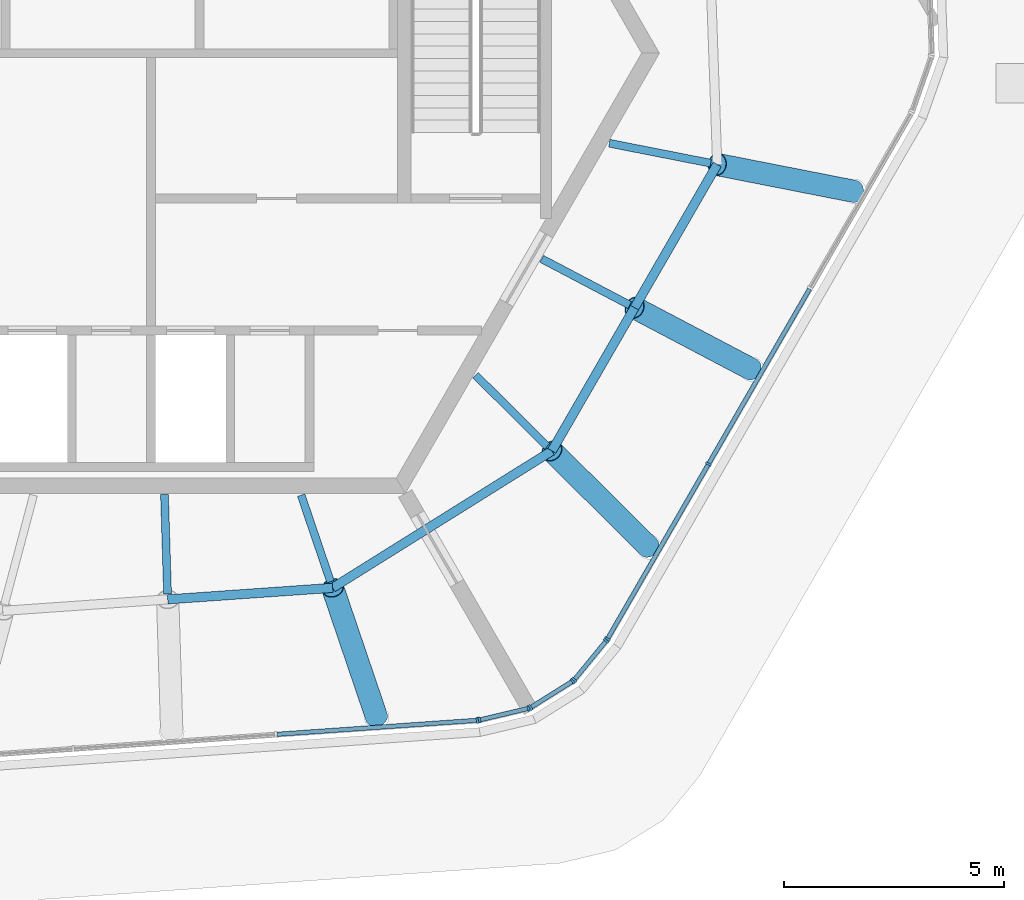
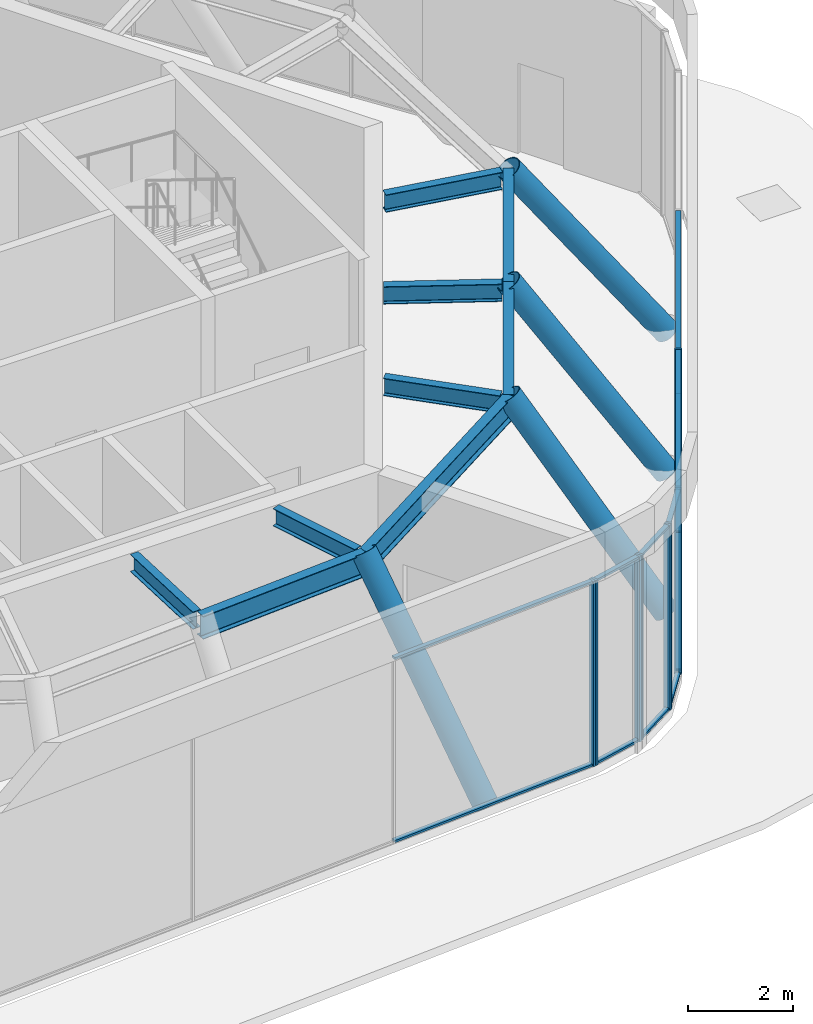
# One storey, part 2 of 9: 25 members, 9 beams, 5 elements without a shape of their own.
"""IFC4 building model written with IfcOpenShell, lengths in metres."""

from ifc_helpers import new_model, si_unit, direction, frame, origin, origin_2d, place, context, subcontext, project, spatial, rectangle, hollow_circle, i_section, extrude, material, material_profile, profile_set, type_object, element, aggregate, save


model = new_model("IFC4")

# Units and contexts
model_context = context("Model", 3, precision=1e-05, world=origin(), true_north=direction((0.0, 1.0)))
body_context = subcontext(model_context, "Body", "Model", "MODEL_VIEW")
ifc_project = project(units=[si_unit("LENGTHUNIT", "METRE"), si_unit("AREAUNIT", "SQUARE_METRE"), si_unit("VOLUMEUNIT", "CUBIC_METRE"), si_unit("PLANEANGLEUNIT", "RADIAN"), si_unit("MASSUNIT", "GRAM", prefix="KILO")], contexts=[model_context])

# Site, building, storey
site_placement = place(None, origin())
site = spatial("IfcSite", under=ifc_project, at=site_placement, CompositionType="ELEMENT")
building_placement = place(site_placement, origin())
building = spatial("IfcBuilding", under=site, at=building_placement, Name="Tarnside Tower", CompositionType="ELEMENT")
storey_placement = place(building_placement, frame((0.0, 0.0, 397.199951171875)))
storey = spatial("IfcBuildingStorey", under=building, at=storey_placement, Name="L94", CompositionType="ELEMENT", Elevation=397.199951171875)

# Curtain wall, members
ifc_material_1 = material(Name="Crown glazing wall", Category="glass")
curtain_wall_type = type_object("IfcCurtainWallType", Name="Crown glazing wall", PredefinedType="NOTDEFINED", material=ifc_material_1)
curtain_wall_1_placement = place(storey_placement, origin())
curtain_wall_1 = element("IfcCurtainWall", 1, at=curtain_wall_1_placement, inside=storey, type_object=curtain_wall_type, Name="Crown glazing L94 08", PredefinedType="NOTDEFINED")
ifc_material_2 = material(Name="Aluminium alloy 6063", Category="aluminium")
ifc_material_profile_1 = material_profile(ifc_material_2, rectangle(XDim=0.139892578125, YDim=0.050048828125, at=origin_2d()), Name="Crown glazing mullion 50 x 140")
ifc_profile_set_1 = profile_set([ifc_material_profile_1], Name="Aluminium alloy 6063")
member_type_1 = type_object("IfcMemberType", Name="Crown glazing mullion 50 x 140", PredefinedType="MULLION", material=ifc_profile_set_1)
member_1_placement = place(storey_placement, frame((12.661376953125, -9.329833984375, 0.0), z_axis=(0.0, 0.0, 1.0), x_axis=(0.866025403776, -0.500000000015, 0.0)))
member_1 = element("IfcMember", 2, at=member_1_placement, type_object=member_type_1, Name="CW6 mullion 3", PredefinedType="MULLION", context=body_context, shape_type="SweptSolid", body=[
    extrude(rectangle(XDim=0.139892578125, YDim=0.050048828125, at=origin_2d()), origin(), (0.0, 0.0, 1.0), 4.300048828125),
])
member_2_placement = place(storey_placement, frame((10.3671875, -13.303466796875, 0.0), z_axis=(0.0, 0.0, 1.0), x_axis=(0.866025403776, -0.500000000015, 0.0)))
member_2 = element("IfcMember", 3, at=member_2_placement, type_object=member_type_1, Name="CW6 mullion 4", PredefinedType="MULLION", context=body_context, shape_type="SweptSolid", body=[
    extrude(rectangle(XDim=0.139892578125, YDim=0.050048828125, at=origin_2d()), origin(), (0.0, 0.0, 1.0), 4.300048828125),
])

curtain_wall_2_placement = place(storey_placement, origin())
curtain_wall_2 = element("IfcCurtainWall", 4, at=curtain_wall_2_placement, inside=storey, type_object=curtain_wall_type, Name="Crown glazing L94 09", PredefinedType="NOTDEFINED")
member_3_placement = place(storey_placement, frame((10.3388671875, -13.344482421875, 0.0), z_axis=(0.0, 0.0, 1.0), x_axis=(0.773471592915, -0.633830967178, 0.0)))
member_3 = element("IfcMember", 5, at=member_3_placement, type_object=member_type_1, Name="CW6 mullion 1", PredefinedType="MULLION", context=body_context, shape_type="SweptSolid", body=[
    extrude(rectangle(XDim=0.139892578125, YDim=0.050048828125, at=origin_2d()), origin(), (0.0, 0.0, 1.0), 4.300048828125),
])
member_4_placement = place(storey_placement, frame((9.61328125, -14.229736328125, 0.0), z_axis=(0.0, 0.0, 1.0), x_axis=(0.773471592915, -0.633830967178, 0.0)))
member_4 = element("IfcMember", 6, at=member_4_placement, type_object=member_type_1, Name="CW6 mullion 2", PredefinedType="MULLION", context=body_context, shape_type="SweptSolid", body=[
    extrude(rectangle(XDim=0.139892578125, YDim=0.050048828125, at=origin_2d()), origin(), (0.0, 0.0, 1.0), 4.300048828125),
])

curtain_wall_3_placement = place(storey_placement, origin())
curtain_wall_3 = element("IfcCurtainWall", 7, at=curtain_wall_3_placement, inside=storey, type_object=curtain_wall_type, Name="Crown glazing L94 10", PredefinedType="NOTDEFINED")
member_5_placement = place(storey_placement, frame((9.576171875, -14.262451171875, 0.0), z_axis=(0.0, 0.0, 1.0), x_axis=(0.5299192641, -0.84804809624, 0.0)))
member_5 = element("IfcMember", 8, at=member_5_placement, type_object=member_type_1, Name="CW6 mullion 1", PredefinedType="MULLION", context=body_context, shape_type="SweptSolid", body=[
    extrude(rectangle(XDim=0.139892578125, YDim=0.050048828125, at=origin_2d()), origin(), (0.0, 0.0, 1.0), 4.300048828125),
])
member_6_placement = place(storey_placement, frame((8.62109375, -14.859375, 0.0), z_axis=(0.0, 0.0, 1.0), x_axis=(0.5299192641, -0.84804809624, 0.0)))
member_6 = element("IfcMember", 9, at=member_6_placement, type_object=member_type_1, Name="CW6 mullion 2", PredefinedType="MULLION", context=body_context, shape_type="SweptSolid", body=[
    extrude(rectangle(XDim=0.139892578125, YDim=0.050048828125, at=origin_2d()), origin(), (0.0, 0.0, 1.0), 4.300048828125),
])

curtain_wall_4_placement = place(storey_placement, origin())
curtain_wall_4 = element("IfcCurtainWall", 10, at=curtain_wall_4_placement, inside=storey, type_object=curtain_wall_type, Name="Crown glazing L94 11", PredefinedType="NOTDEFINED")
member_7_placement = place(storey_placement, frame((8.575439453125, -14.87841796875, 0.0), z_axis=(0.0, 0.0, 1.0), x_axis=(0.230615870414, -0.973044870658, 0.0)))
member_7 = element("IfcMember", 11, at=member_7_placement, type_object=member_type_1, Name="CW6 mullion 1", PredefinedType="MULLION", context=body_context, shape_type="SweptSolid", body=[
    extrude(rectangle(XDim=0.139892578125, YDim=0.050048828125, at=origin_2d()), origin(), (0.0, 0.0, 1.0), 4.300048828125),
])
member_8_placement = place(storey_placement, frame((7.461669921875, -15.142333984375, 0.0), z_axis=(0.0, 0.0, 1.0), x_axis=(0.230615870414, -0.973044870658, 0.0)))
member_8 = element("IfcMember", 12, at=member_8_placement, type_object=member_type_1, Name="CW6 mullion 2", PredefinedType="MULLION", context=body_context, shape_type="SweptSolid", body=[
    extrude(rectangle(XDim=0.139892578125, YDim=0.050048828125, at=origin_2d()), origin(), (0.0, 0.0, 1.0), 4.300048828125),
])

# Curtain wall, member
curtain_wall_5_placement = place(storey_placement, origin())
curtain_wall_5 = element("IfcCurtainWall", 13, at=curtain_wall_5_placement, inside=storey, type_object=curtain_wall_type, Name="Crown glazing L94 12", PredefinedType="NOTDEFINED")
member_9_placement = place(storey_placement, frame((7.412353515625, -15.14990234375, 0.0), z_axis=(0.0, 0.0, 1.0), x_axis=(0.069756473762, -0.997564050259, 0.0)))
member_9 = element("IfcMember", 14, at=member_9_placement, type_object=member_type_1, Name="CW6 mullion 1", PredefinedType="MULLION", context=body_context, shape_type="SweptSolid", body=[
    extrude(rectangle(XDim=0.139892578125, YDim=0.050048828125, at=origin_2d()), origin(), (0.0, 0.0, 1.0), 4.300048828125),
])

# Member
ifc_material_profile_2 = material_profile(ifc_material_2, rectangle(XDim=0.10009765625, YDim=0.050048828125, at=origin_2d()), Name="Crown glazing transom 50 x 100")
ifc_profile_set_2 = profile_set([ifc_material_profile_2], Name="Aluminium alloy 6063")
member_type_2 = type_object("IfcMemberType", Name="Crown glazing transom 50 x 100", PredefinedType="USERDEFINED", material=ifc_profile_set_2)
member_10_placement = place(storey_placement, frame((14.95556640625, -5.35595703125, 0.025146484375), z_axis=(-0.499994135611, -0.866028789565, 0.0), x_axis=(0.866028789565, -0.499994135611, 0.0)))
member_10 = element("IfcMember", 15, at=member_10_placement, type_object=member_type_2, Name="CW6 transom 2.1", ObjectType="TRANSOM", PredefinedType="USERDEFINED", context=body_context, shape_type="SweptSolid", body=[
    extrude(rectangle(XDim=0.10009765625, YDim=0.050048828125, at=origin_2d()), origin(), (0.0, 0.0, 1.0), 4.5634765625),
])

member_11_placement = place(storey_placement, frame((14.95556640625, -5.35595703125, 4.275146484375), z_axis=(-0.499994135611, -0.866028789565, 0.0), x_axis=(0.866028789565, -0.499994135611, 0.0)))
member_11 = element("IfcMember", 16, at=member_11_placement, type_object=member_type_2, Name="CW6 transom 2.2", ObjectType="TRANSOM", PredefinedType="USERDEFINED", context=body_context, shape_type="SweptSolid", body=[
    extrude(rectangle(XDim=0.10009765625, YDim=0.050048828125, at=origin_2d()), origin(), (0.0, 0.0, 1.0), 4.5634765625),
])

member_12_placement = place(storey_placement, frame((12.64892578125, -9.351318359375, 0.025146484375), z_axis=(-0.500009602748, -0.866019859564, 0.0), x_axis=(0.866019859564, -0.500009602748, 0.0)))
member_12 = element("IfcMember", 17, at=member_12_placement, type_object=member_type_2, Name="CW6 transom 3.1", ObjectType="TRANSOM", PredefinedType="USERDEFINED", context=body_context, shape_type="SweptSolid", body=[
    extrude(rectangle(XDim=0.10009765625, YDim=0.050048828125, at=origin_2d()), origin(), (0.0, 0.0, 1.0), 4.53857421875),
])

member_13_placement = place(storey_placement, frame((12.64892578125, -9.351318359375, 4.275146484375), z_axis=(-0.500009602748, -0.866019859564, 0.0), x_axis=(0.866019859564, -0.500009602748, 0.0)))
member_13 = element("IfcMember", 18, at=member_13_placement, type_object=member_type_2, Name="CW6 transom 3.2", ObjectType="TRANSOM", PredefinedType="USERDEFINED", context=body_context, shape_type="SweptSolid", body=[
    extrude(rectangle(XDim=0.10009765625, YDim=0.050048828125, at=origin_2d()), origin(), (0.0, 0.0, 1.0), 4.53857421875),
])

aggregate(curtain_wall_1, [member_1, member_2, member_10, member_11, member_12, member_13])

member_14_placement = place(storey_placement, frame((10.322998046875, -13.36376953125, 0.025146484375), z_axis=(-0.633844849102, -0.77346021699, 0.0), x_axis=(0.77346021699, -0.633844849102, 0.0)))
member_14 = element("IfcMember", 19, at=member_14_placement, type_object=member_type_2, Name="CW6 transom 1.1", ObjectType="TRANSOM", PredefinedType="USERDEFINED", context=body_context, shape_type="SweptSolid", body=[
    extrude(rectangle(XDim=0.10009765625, YDim=0.050048828125, at=origin_2d()), origin(), (0.0, 0.0, 1.0), 1.0947265625),
])

member_15_placement = place(storey_placement, frame((10.322998046875, -13.36376953125, 4.275146484375), z_axis=(-0.633844849102, -0.77346021699, 0.0), x_axis=(0.77346021699, -0.633844849102, 0.0)))
member_15 = element("IfcMember", 20, at=member_15_placement, type_object=member_type_2, Name="CW6 transom 1.2", ObjectType="TRANSOM", PredefinedType="USERDEFINED", context=body_context, shape_type="SweptSolid", body=[
    extrude(rectangle(XDim=0.10009765625, YDim=0.050048828125, at=origin_2d()), origin(), (0.0, 0.0, 1.0), 1.0947265625),
])

aggregate(curtain_wall_2, [member_3, member_4, member_14, member_15])

member_16_placement = place(storey_placement, frame((9.55517578125, -14.275634765625, 0.025146484375), z_axis=(-0.848049255398, -0.529917409055, 0.0), x_axis=(0.529917409055, -0.848049255398, 0.0)))
member_16 = element("IfcMember", 21, at=member_16_placement, type_object=member_type_2, Name="CW6 transom 1.1", ObjectType="TRANSOM", PredefinedType="USERDEFINED", context=body_context, shape_type="SweptSolid", body=[
    extrude(rectangle(XDim=0.10009765625, YDim=0.050048828125, at=origin_2d()), origin(), (0.0, 0.0, 1.0), 1.07666015625),
])

member_17_placement = place(storey_placement, frame((9.55517578125, -14.275634765625, 4.275146484375), z_axis=(-0.848049255398, -0.529917409055, 0.0), x_axis=(0.529917409055, -0.848049255398, 0.0)))
member_17 = element("IfcMember", 22, at=member_17_placement, type_object=member_type_2, Name="CW6 transom 1.2", ObjectType="TRANSOM", PredefinedType="USERDEFINED", context=body_context, shape_type="SweptSolid", body=[
    extrude(rectangle(XDim=0.10009765625, YDim=0.050048828125, at=origin_2d()), origin(), (0.0, 0.0, 1.0), 1.07666015625),
])

aggregate(curtain_wall_3, [member_5, member_6, member_16, member_17])

member_18_placement = place(storey_placement, frame((8.55126953125, -14.884033203125, 0.025146484375), z_axis=(-0.973047372606, -0.230605313609, 0.0), x_axis=(0.230605313609, -0.973047372606, 0.0)))
member_18 = element("IfcMember", 23, at=member_18_placement, type_object=member_type_2, Name="CW6 transom 1.1", ObjectType="TRANSOM", PredefinedType="USERDEFINED", context=body_context, shape_type="SweptSolid", body=[
    extrude(rectangle(XDim=0.10009765625, YDim=0.050048828125, at=origin_2d()), origin(), (0.0, 0.0, 1.0), 1.0947265625),
])

member_19_placement = place(storey_placement, frame((8.55126953125, -14.884033203125, 4.275146484375), z_axis=(-0.973047372606, -0.230605313609, 0.0), x_axis=(0.230605313609, -0.973047372606, 0.0)))
member_19 = element("IfcMember", 24, at=member_19_placement, type_object=member_type_2, Name="CW6 transom 1.2", ObjectType="TRANSOM", PredefinedType="USERDEFINED", context=body_context, shape_type="SweptSolid", body=[
    extrude(rectangle(XDim=0.10009765625, YDim=0.050048828125, at=origin_2d()), origin(), (0.0, 0.0, 1.0), 1.0947265625),
])

aggregate(curtain_wall_4, [member_7, member_8, member_18, member_19])

member_20_placement = place(storey_placement, frame((7.387451171875, -15.151611328125, 0.025146484375), z_axis=(-0.997563012491, -0.069771312942, 0.0), x_axis=(0.069771312942, -0.997563012491, 0.0)))
member_20 = element("IfcMember", 25, at=member_20_placement, type_object=member_type_2, Name="CW6 transom 1.1", ObjectType="TRANSOM", PredefinedType="USERDEFINED", context=body_context, shape_type="SweptSolid", body=[
    extrude(rectangle(XDim=0.10009765625, YDim=0.050048828125, at=origin_2d()), origin(), (0.0, 0.0, 1.0), 4.538330078125),
])

member_21_placement = place(storey_placement, frame((7.387451171875, -15.151611328125, 4.275146484375), z_axis=(-0.997563012491, -0.069771312942, 0.0), x_axis=(0.069771312942, -0.997563012491, 0.0)))
member_21 = element("IfcMember", 26, at=member_21_placement, type_object=member_type_2, Name="CW6 transom 1.2", ObjectType="TRANSOM", PredefinedType="USERDEFINED", context=body_context, shape_type="SweptSolid", body=[
    extrude(rectangle(XDim=0.10009765625, YDim=0.050048828125, at=origin_2d()), origin(), (0.0, 0.0, 1.0), 4.538330078125),
])

aggregate(curtain_wall_5, [member_9, member_20, member_21])

# Beams
ifc_material_3 = material(Name="Steel S355", Category="steel")
ifc_material_profile_3 = material_profile(ifc_material_3, i_section(OverallWidth=0.177978515625, OverallDepth=0.406494140625, WebThickness=0.0078125, FlangeThickness=0.0126953125, FilletRadius=0.01025390625, at=origin_2d()), Name="UB 406x178x60")
ifc_profile_set_3 = profile_set([ifc_material_profile_3], Name="Steel S355")
beam_type_1 = type_object("IfcBeamType", Name="Floor beam UB 406x178x60", PredefinedType="BEAM", material=ifc_profile_set_3)
beam_1_placement = place(storey_placement, frame((0.37646484375, -12.279052734375, 4.096923828125), z_axis=(-0.030678301532, 0.999529310133, 0.0), x_axis=(-0.999529310133, -0.030678301532, 0.0)))
element("IfcBeam", 27, at=beam_1_placement, inside=storey, type_object=beam_type_1, Name="Floor beam RB11", PredefinedType="BEAM", context=body_context, shape_type="SweptSolid", body=[
    extrude(i_section(OverallWidth=0.177978515625, OverallDepth=0.406494140625, WebThickness=0.0078125, FlangeThickness=0.0126953125, FilletRadius=0.01025390625, at=origin_2d()), origin(), (0.0, 0.0, 1.0), 2.260009765625),
])
beam_2_placement = place(storey_placement, frame((4.07861328125, -12.00146484375, 4.096923828125), z_axis=(-0.321731781245, 0.946830851281, 0.0), x_axis=(-0.946830851281, -0.321731781245, 0.0)))
element("IfcBeam", 28, at=beam_2_placement, inside=storey, type_object=beam_type_1, Name="Floor beam RB12", PredefinedType="BEAM", context=body_context, shape_type="SweptSolid", body=[
    extrude(i_section(OverallWidth=0.177978515625, OverallDepth=0.406494140625, WebThickness=0.0078125, FlangeThickness=0.0126953125, FilletRadius=0.01025390625, at=origin_2d()), origin(), (0.0, 0.0, 1.0), 2.073974609375),
])
beam_3_placement = place(storey_placement, frame((8.998779296875, -8.927001953125, 4.096923828125), z_axis=(-0.709921684291, 0.70428062743, 0.0), x_axis=(-0.70428062743, -0.709921684291, 0.0)))
element("IfcBeam", 29, at=beam_3_placement, inside=storey, type_object=beam_type_1, Name="Floor beam RB13", PredefinedType="BEAM", context=body_context, shape_type="SweptSolid", body=[
    extrude(i_section(OverallWidth=0.177978515625, OverallDepth=0.406494140625, WebThickness=0.0078125, FlangeThickness=0.0126953125, FilletRadius=0.01025390625, at=origin_2d()), origin(), (0.0, 0.0, 1.0), 2.293701171875),
])
beam_4_placement = place(storey_placement, frame((10.871337890625, -5.72119140625, 4.096923828125), z_axis=(-0.884932298679, 0.465719686887, 0.0), x_axis=(-0.465719686887, -0.884932298679, 0.0)))
element("IfcBeam", 30, at=beam_4_placement, inside=storey, type_object=beam_type_1, Name="Floor beam RB14", PredefinedType="BEAM", context=body_context, shape_type="SweptSolid", body=[
    extrude(i_section(OverallWidth=0.177978515625, OverallDepth=0.406494140625, WebThickness=0.0078125, FlangeThickness=0.0126953125, FilletRadius=0.01025390625, at=origin_2d()), origin(), (0.0, 0.0, 1.0), 2.25732421875),
])
beam_5_placement = place(storey_placement, frame((12.71142578125, -2.498046875, 4.096923828125), z_axis=(-0.981227724655, 0.192852670109, 0.0), x_axis=(-0.192852670109, -0.981227724655, 0.0)))
element("IfcBeam", 31, at=beam_5_placement, inside=storey, type_object=beam_type_1, Name="Floor beam RB15", PredefinedType="BEAM", context=body_context, shape_type="SweptSolid", body=[
    extrude(i_section(OverallWidth=0.177978515625, OverallDepth=0.406494140625, WebThickness=0.0078125, FlangeThickness=0.0126953125, FilletRadius=0.01025390625, at=origin_2d()), origin(), (0.0, 0.0, 1.0), 2.345703125),
])
ifc_material_profile_4 = material_profile(ifc_material_3, i_section(OverallWidth=0.209228515625, OverallDepth=0.533203125, WebThickness=0.010009765625, FlangeThickness=0.015625, FilletRadius=0.0126953125, at=origin_2d()), Name="UB 533x210x92")
ifc_profile_set_4 = profile_set([ifc_material_profile_4], Name="Steel S355")
beam_type_2 = type_object("IfcBeamType", Name="Floor beam UB 533x210x92", PredefinedType="BEAM", material=ifc_profile_set_4)
beam_6_placement = place(storey_placement, frame((0.38037109375, -12.40380859375, 4.033447265625), z_axis=(0.997563855733, 0.069759255553, 0.0), x_axis=(-0.069759255553, 0.997563855733, 0.0)))
element("IfcBeam", 32, at=beam_6_placement, inside=storey, type_object=beam_type_2, Name="Floor beam R11", PredefinedType="BEAM", context=body_context, shape_type="SweptSolid", body=[
    extrude(i_section(OverallWidth=0.209228515625, OverallDepth=0.533203125, WebThickness=0.010009765625, FlangeThickness=0.015625, FilletRadius=0.0126953125, at=origin_2d()), origin(), (0.0, 0.0, 1.0), 3.755126953125),
])
beam_7_placement = place(storey_placement, frame((4.12646484375, -12.141845703125, 4.033447265625), z_axis=(0.848026343977, 0.529954073407, 0.0), x_axis=(-0.529954073407, 0.848026343977, 0.0)))
element("IfcBeam", 33, at=beam_7_placement, inside=storey, type_object=beam_type_2, Name="Floor beam R12", PredefinedType="BEAM", context=body_context, shape_type="SweptSolid", body=[
    extrude(i_section(OverallWidth=0.209228515625, OverallDepth=0.533203125, WebThickness=0.010009765625, FlangeThickness=0.015625, FilletRadius=0.0126953125, at=origin_2d()), origin(), (0.0, 0.0, 1.0), 5.86962890625),
])
beam_8_placement = place(storey_placement, frame((9.10400390625, -9.03125, 4.033447265625), z_axis=(0.500033860368, 0.866005853609, 0.0), x_axis=(-0.866005853609, 0.500033860368, 0.0)))
element("IfcBeam", 34, at=beam_8_placement, inside=storey, type_object=beam_type_2, Name="Floor beam R13", PredefinedType="BEAM", context=body_context, shape_type="SweptSolid", body=[
    extrude(i_section(OverallWidth=0.209228515625, OverallDepth=0.533203125, WebThickness=0.010009765625, FlangeThickness=0.015625, FilletRadius=0.0126953125, at=origin_2d()), origin(), (0.0, 0.0, 1.0), 3.755126953125),
])
beam_9_placement = place(storey_placement, frame((10.981689453125, -5.779296875, 4.033447265625), z_axis=(0.500005707901, 0.866022108301, 0.0), x_axis=(-0.866022108301, 0.500005707901, 0.0)))
element("IfcBeam", 35, at=beam_9_placement, inside=storey, type_object=beam_type_2, Name="Floor beam R14", PredefinedType="BEAM", context=body_context, shape_type="SweptSolid", body=[
    extrude(i_section(OverallWidth=0.209228515625, OverallDepth=0.533203125, WebThickness=0.010009765625, FlangeThickness=0.015625, FilletRadius=0.0126953125, at=origin_2d()), origin(), (0.0, 0.0, 1.0), 3.75537109375),
])

# Members
ifc_material_profile_5 = material_profile(ifc_material_3, hollow_circle(Radius=0.25390625, WallThickness=0.01611328125, at=origin_2d()), Name="CHS 508x16")
ifc_profile_set_5 = profile_set([ifc_material_profile_5], Name="Steel S355")
member_type_3 = type_object("IfcMemberType", Name="Truss diagonal CHS 508x16", PredefinedType="BRACE", material=ifc_profile_set_5)
member_22_placement = place(storey_placement, frame((5.124755859375, -15.079345703125, -0.199951171875), z_axis=(-0.182680362251, 0.537455452069, 0.823267588509), x_axis=(-0.946801996946, -0.321816684743, 0.0)))
element("IfcMember", 36, at=member_22_placement, inside=storey, type_object=member_type_3, Name="Crown leg L94 12", PredefinedType="BRACE", context=body_context, shape_type="SweptSolid", body=[
    extrude(hollow_circle(Radius=0.25390625, WallThickness=0.01611328125, at=origin_2d()), origin(), (0.0, 0.0, 1.0), 5.466064453125),
])
member_23_placement = place(storey_placement, frame((11.306640625, -11.21630859375, -0.199951171875), z_axis=(-0.402977685686, 0.399761725437, 0.823285823827), x_axis=(-0.704268295738, -0.709933917782, 0.0)))
element("IfcMember", 37, at=member_23_placement, inside=storey, type_object=member_type_3, Name="Crown leg L94 13", PredefinedType="BRACE", context=body_context, shape_type="SweptSolid", body=[
    extrude(hollow_circle(Radius=0.25390625, WallThickness=0.01611328125, at=origin_2d()), origin(), (0.0, 0.0, 1.0), 5.4658203125),
])
member_24_placement = place(storey_placement, frame((13.638427734375, -7.177490234375, -0.199951171875), z_axis=(-0.49112025271, 0.258467716161, 0.83186257103), x_axis=(-0.465722971417, -0.884930570099, 0.0)))
element("IfcMember", 38, at=member_24_placement, inside=storey, type_object=member_type_3, Name="Crown leg L94 14", PredefinedType="BRACE", context=body_context, shape_type="SweptSolid", body=[
    extrude(hollow_circle(Radius=0.25390625, WallThickness=0.01611328125, at=origin_2d()), origin(), (0.0, 0.0, 1.0), 5.40966796875),
])
member_25_placement = place(storey_placement, frame((15.970458984375, -3.138427734375, -0.199951171875), z_axis=(-0.565160804739, 0.111054120307, 0.817471863216), x_axis=(-0.192812825068, -0.981235555047, 0.0)))
element("IfcMember", 39, at=member_25_placement, inside=storey, type_object=member_type_3, Name="Crown leg L94 15", PredefinedType="BRACE", context=body_context, shape_type="SweptSolid", body=[
    extrude(hollow_circle(Radius=0.25390625, WallThickness=0.01611328125, at=origin_2d()), origin(), (0.0, 0.0, 1.0), 5.5048828125),
])

save(model, "model.ifc")
